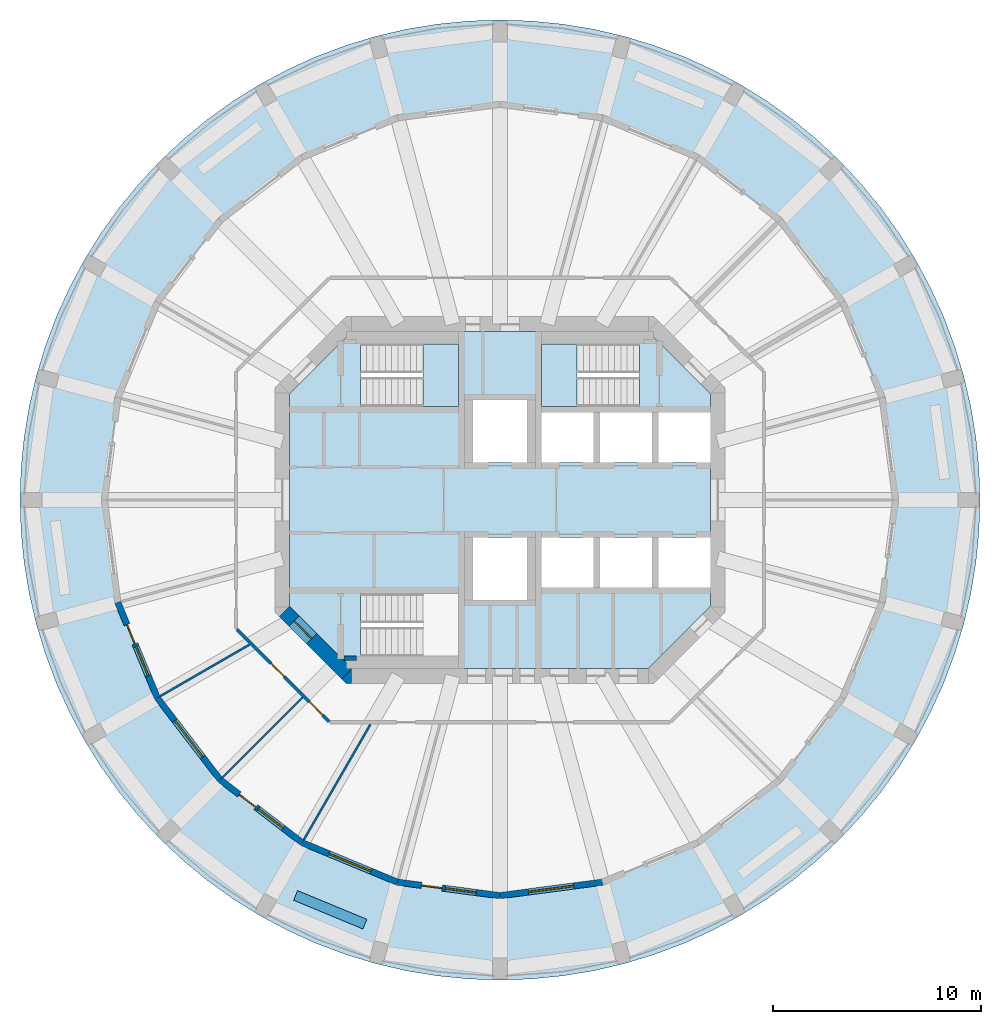
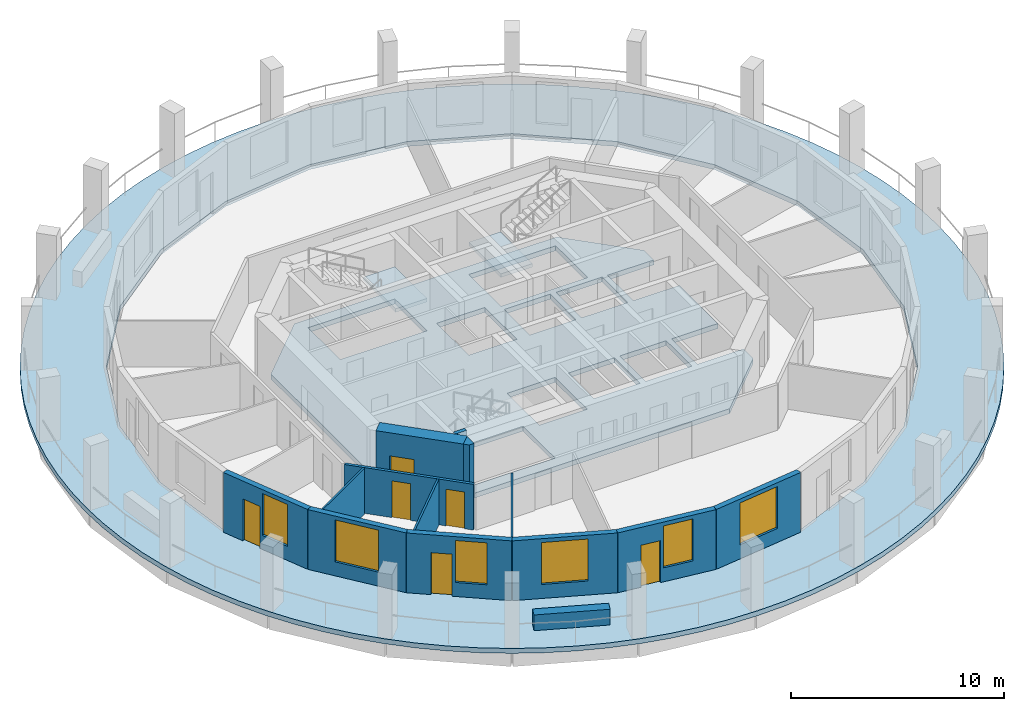
# One storey, part 2 of 9: 14 walls, 6 doors, 6 windows, 4 slabs, 12 openings, 2 elements without a shape of their own.
"""IFC4 building model written with IfcOpenShell, lengths in metres."""

from ifc_helpers import new_model, si_unit, direction, frame, frame_2d, origin, place, context, subcontext, project, spatial, polyline, rectangle, outline, extrude, material, layer, layer_set, type_object, element, fill, aggregate, save


model = new_model("IFC4")

# Units and contexts
model_context = context("Model", 3, precision=1e-05, world=origin(), true_north=direction((0.0, 1.0)))
body_context = subcontext(model_context, "Body", "Model", "MODEL_VIEW")
ifc_project = project(units=[si_unit("LENGTHUNIT", "METRE"), si_unit("AREAUNIT", "SQUARE_METRE"), si_unit("VOLUMEUNIT", "CUBIC_METRE"), si_unit("PLANEANGLEUNIT", "RADIAN"), si_unit("MASSUNIT", "GRAM", prefix="KILO")], contexts=[model_context])

# Site, building, storey
site_placement = place(None, origin())
site = spatial("IfcSite", under=ifc_project, at=site_placement, CompositionType="ELEMENT")
building_placement = place(site_placement, origin())
building = spatial("IfcBuilding", under=site, at=building_placement, Name="Torre Triforio", CompositionType="ELEMENT")
storey_placement = place(building_placement, frame((0.0, 0.0, 165.300048828125)))
storey = spatial("IfcBuildingStorey", under=building, at=storey_placement, Name="L37", CompositionType="ELEMENT", Elevation=165.300048828125)

# Slabs
ifc_material_1 = material(Name="Concrete C50", Category="concrete")
ifc_layer_1 = layer(ifc_material_1, 0.280029296875)
ifc_layer_set_1 = layer_set([ifc_layer_1], Name="Concrete C50")
slab_type_1 = type_object("IfcSlabType", Name="Core floor slab 280 mm C50 REI 120", PredefinedType="FLOOR", material=ifc_layer_set_1)
slab_1_placement = place(storey_placement, frame((0.0, 0.0, -0.280029296875)))
element("IfcSlab", 1, at=slab_1_placement, inside=storey, type_object=slab_type_1, Name="Core floor slab", PredefinedType="FLOOR", context=body_context, shape_type="SweptSolid", body=[
    extrude(outline(polyline([(10.10009765625, -5.10009765625), (7.10009765625, -8.10009765625), (-7.10009765625, -8.10009765625), (-10.10009765625, -5.10009765625), (-10.10009765625, 5.10009765625), (-7.10009765625, 8.10009765625), (7.10009765625, 8.10009765625), (10.10009765625, 5.10009765625), (10.10009765625, 4.199951171875), (7.60009765625, 4.199951171875), (7.60009765625, 1.800048828125), (10.10009765625, 1.800048828125), (10.10009765625, -1.800048828125), (7.60009765625, -1.800048828125), (7.60009765625, -4.199951171875), (10.10009765625, -4.199951171875), (10.10009765625, -5.10009765625)]), holes=[polyline([(-6.696044921875, -4.5), (-6.696044921875, -7.5), (-2.0, -7.5), (-2.0, -4.5), (-6.696044921875, -4.5)]), polyline([(-1.300048828125, -1.800048828125), (-1.300048828125, -4.800048828125), (1.300048828125, -4.800048828125), (1.300048828125, -1.800048828125), (-1.300048828125, -1.800048828125)]), polyline([(2.0, -1.800048828125), (2.0, -4.199951171875), (4.5, -4.199951171875), (4.5, -1.800048828125), (2.0, -1.800048828125)]), polyline([(4.5, 4.199951171875), (2.0, 4.199951171875), (2.0, 1.800048828125), (4.5, 1.800048828125), (4.5, 4.199951171875)]), polyline([(1.300048828125, 4.800048828125), (-1.300048828125, 4.800048828125), (-1.300048828125, 1.800048828125), (1.300048828125, 1.800048828125), (1.300048828125, 4.800048828125)]), polyline([(-6.696044921875, 7.5), (-6.696044921875, 4.5), (-2.0, 4.5), (-2.0, 7.5), (-6.696044921875, 7.5)]), polyline([(7.300048828125, -1.800048828125), (4.800048828125, -1.800048828125), (4.800048828125, -4.199951171875), (7.300048828125, -4.199951171875), (7.300048828125, -1.800048828125)]), polyline([(4.800048828125, 4.199951171875), (4.800048828125, 1.800048828125), (7.300048828125, 1.800048828125), (7.300048828125, 4.199951171875), (4.800048828125, 4.199951171875)]), polyline([(6.696044921875, 7.5), (2.0, 7.5), (2.0, 4.5), (6.696044921875, 4.5), (6.696044921875, 7.5)])]), origin(), (0.0, 0.0, 1.0), 0.280029296875),
])
ifc_material_2 = material(Name="Concrete C40", Category="concrete")
ifc_layer_2 = layer(ifc_material_2, 0.280029296875)
ifc_layer_set_2 = layer_set([ifc_layer_2], Name="Concrete C40")
slab_type_2 = type_object("IfcSlabType", Name="Loggia slab 280 C40", PredefinedType="FLOOR", material=ifc_layer_set_2)
slab_2_placement = place(storey_placement, frame((0.0, 0.0, -0.280029296875)))
element("IfcSlab", 2, at=slab_2_placement, inside=storey, type_object=slab_type_2, Name="SL.L37.LG", PredefinedType="FLOOR", context=body_context, shape_type="SweptSolid", body=[
    extrude(outline(polyline([(23.000732421875, -1.507568359375), (23.050048828125, 0.0), (23.000732421875, 1.507568359375), (22.852783203125, 3.008544921875), (22.607177734375, 4.496826171875), (22.2646484375, 5.9658203125), (21.82666015625, 7.4091796875), (21.29541015625, 8.82080078125), (20.6728515625, 10.19482421875), (19.9619140625, 11.52490234375), (19.165283203125, 12.805908203125), (18.286865234375, 14.031982421875), (17.329833984375, 15.197998046875), (16.298828125, 16.298828125), (15.197998046875, 17.329833984375), (14.031982421875, 18.286865234375), (12.805908203125, 19.165283203125), (11.52490234375, 19.9619140625), (10.19482421875, 20.6728515625), (8.82080078125, 21.29541015625), (7.4091796875, 21.82666015625), (5.9658203125, 22.2646484375), (4.496826171875, 22.607177734375), (3.008544921875, 22.852783203125), (1.507568359375, 23.000732421875), (0.0, 23.050048828125), (-1.507568359375, 23.000732421875), (-3.008544921875, 22.852783203125), (-4.496826171875, 22.607177734375), (-5.9658203125, 22.2646484375), (-7.4091796875, 21.82666015625), (-8.82080078125, 21.29541015625), (-10.19482421875, 20.6728515625), (-11.52490234375, 19.9619140625), (-12.805908203125, 19.165283203125), (-14.031982421875, 18.286865234375), (-15.197998046875, 17.329833984375), (-16.298828125, 16.298828125), (-17.329833984375, 15.197998046875), (-18.286865234375, 14.031982421875), (-19.165283203125, 12.805908203125), (-19.9619140625, 11.52490234375), (-20.6728515625, 10.19482421875), (-21.29541015625, 8.82080078125), (-21.82666015625, 7.4091796875), (-22.2646484375, 5.9658203125), (-22.607177734375, 4.496826171875), (-22.852783203125, 3.008544921875), (-23.000732421875, 1.507568359375), (-23.050048828125, 0.0), (-23.000732421875, -1.507568359375), (-22.852783203125, -3.008544921875), (-22.607177734375, -4.496826171875), (-22.2646484375, -5.9658203125), (-21.82666015625, -7.4091796875), (-21.29541015625, -8.82080078125), (-20.6728515625, -10.19482421875), (-19.9619140625, -11.52490234375), (-19.165283203125, -12.805908203125), (-18.286865234375, -14.031982421875), (-17.329833984375, -15.197998046875), (-16.298828125, -16.298828125), (-15.197998046875, -17.329833984375), (-14.031982421875, -18.286865234375), (-12.805908203125, -19.165283203125), (-11.52490234375, -19.9619140625), (-10.19482421875, -20.6728515625), (-8.82080078125, -21.29541015625), (-7.4091796875, -21.82666015625), (-5.9658203125, -22.2646484375), (-4.496826171875, -22.607177734375), (-3.008544921875, -22.852783203125), (-1.507568359375, -23.000732421875), (0.0, -23.050048828125), (1.507568359375, -23.000732421875), (3.008544921875, -22.852783203125), (4.496826171875, -22.607177734375), (5.9658203125, -22.2646484375), (7.4091796875, -21.82666015625), (8.82080078125, -21.29541015625), (10.19482421875, -20.6728515625), (11.52490234375, -19.9619140625), (12.805908203125, -19.165283203125), (14.031982421875, -18.286865234375), (15.197998046875, -17.329833984375), (16.298828125, -16.298828125), (17.329833984375, -15.197998046875), (18.286865234375, -14.031982421875), (19.165283203125, -12.805908203125), (19.9619140625, -11.52490234375), (20.6728515625, -10.19482421875), (21.29541015625, -8.82080078125), (21.82666015625, -7.4091796875), (22.2646484375, -5.9658203125), (22.607177734375, -4.496826171875), (22.852783203125, -3.008544921875), (23.000732421875, -1.507568359375)]), holes=[polyline([(18.3525390625, 4.91748046875), (19.0, 0.0), (18.3525390625, -4.91748046875), (16.45458984375, -9.5), (13.43505859375, -13.43505859375), (9.5, -16.45458984375), (4.91748046875, -18.3525390625), (0.0, -19.0), (-4.91748046875, -18.3525390625), (-9.5, -16.45458984375), (-13.43505859375, -13.43505859375), (-16.45458984375, -9.5), (-18.3525390625, -4.91748046875), (-19.0, 0.0), (-18.3525390625, 4.91748046875), (-16.45458984375, 9.5), (-13.43505859375, 13.43505859375), (-9.5, 16.45458984375), (-4.91748046875, 18.3525390625), (0.0, 19.0), (4.91748046875, 18.3525390625), (9.5, 16.45458984375), (13.43505859375, 13.43505859375), (16.45458984375, 9.5), (18.3525390625, 4.91748046875)])]), origin(), (0.0, 0.0, 1.0), 0.280029296875),
])

# Stair, slab
stair_type = type_object("IfcStairType", Name="STAIR HALF-TURN", PredefinedType="HALF_TURN_STAIR", material=ifc_material_2)
stair_1_placement = place(storey_placement, origin())
stair_1 = element("IfcStair", 3, at=stair_1_placement, inside=storey, type_object=stair_type, Name="Exit stair 1", PredefinedType="HALF_TURN_STAIR")
ifc_layer_3 = layer(ifc_material_2, 0.199951171875)
ifc_layer_set_3 = layer_set([ifc_layer_3], Name="Concrete C40")
slab_type_3 = type_object("IfcSlabType", Name="STAIR LANDING 200", PredefinedType="LANDING", material=ifc_layer_set_3)
slab_3_placement = place(storey_placement, frame((0.0, 0.0, 1.64990234375)))
slab_3 = element("IfcSlab", 4, at=slab_3_placement, type_object=slab_type_3, Name="ST1 landing 1", PredefinedType="LANDING", context=body_context, shape_type="SweptSolid", body=[
    extrude(outline(polyline([(-2.0, 4.5), (-2.0, 7.5), (-3.699951171875, 7.5), (-3.699951171875, 4.5), (-2.0, 4.5)])), origin(), (0.0, 0.0, 1.0), 0.199951171875),
])
aggregate(stair_1, [slab_3])

stair_2_placement = place(storey_placement, origin())
stair_2 = element("IfcStair", 5, at=stair_2_placement, inside=storey, type_object=stair_type, Name="Exit stair 2", PredefinedType="HALF_TURN_STAIR")
slab_4_placement = place(storey_placement, frame((0.0, 0.0, 1.64990234375)))
slab_4 = element("IfcSlab", 6, at=slab_4_placement, type_object=slab_type_3, Name="ST2 landing 1", PredefinedType="LANDING", context=body_context, shape_type="SweptSolid", body=[
    extrude(outline(polyline([(3.699951171875, 4.5), (3.699951171875, 7.5), (2.0, 7.5), (2.0, 4.5), (3.699951171875, 4.5)])), origin(), (0.0, 0.0, 1.0), 0.199951171875),
])
aggregate(stair_2, [slab_4])

# Wall, opening, door
ifc_layer_4 = layer(ifc_material_1, 0.699951171875)
ifc_layer_set_4 = layer_set([ifc_layer_4], Name="Concrete C50")
wall_type_1 = type_object("IfcWallType", Name="Core wall 700 mm C50 EI 120", PredefinedType="SHEAR", material=ifc_layer_set_4)
wall_1_placement = place(storey_placement, frame((-7.347412109375, -8.347412109375, -0.280029296875), z_axis=(0.0, 0.0, 1.0), x_axis=(-0.707106781187, 0.707106781187, 0.0)))
wall_1 = element("IfcWall", 7, at=wall_1_placement, inside=storey, type_object=wall_type_1, Name="Core wall", PredefinedType="SHEAR", context=body_context, shape_type="SweptSolid", body=[
    extrude(rectangle(XDim=4.24267578125, YDim=0.699951171875, at=frame_2d((2.121337890625, 0.0))), origin(), (0.0, 0.0, 1.0), 3.699951171875),
])
opening_1_placement = place(wall_1_placement, frame((2.392578125, 0.0, 0.280029296875)))
opening_1 = element("IfcOpeningElement", 8, at=opening_1_placement, cuts=wall_1, Name="Opening ST3-EXIT", PredefinedType="OPENING", context=body_context, shape_type="SweptSolid", body=[
    extrude(rectangle(XDim=1.199951171875, YDim=2.10009765625, at=frame_2d((0.60009765625, 1.050048828125))), frame((0.0, 0.35986328125, 0.0), z_axis=(0.0, -1.0, 0.0), x_axis=(1.0, 0.0, 0.0)), (0.0, 0.0, 1.0), 0.719970703125),
])
ifc_material_3 = material(Name="Hollow metal fire door leaf")
door_type_1 = type_object("IfcDoorType", Name="Stair lobby door 1200 x 2100 EI 60", OperationType="NOTDEFINED", PredefinedType="DOOR", material=ifc_material_3)
door_1_placement = place(opening_1_placement, origin())
door_1 = element("IfcDoor", 9, at=door_1_placement, inside=storey, type_object=door_type_1, Name="Core door ST3-EXIT", OperationType="SINGLE_SWING_RIGHT", OverallHeight=2.10009765625, OverallWidth=1.199951171875, PredefinedType="DOOR", context=body_context, shape_type="SweptSolid", body=[
    extrude(rectangle(XDim=1.199951171875, YDim=2.10009765625, at=frame_2d((0.60009765625, 1.050048828125))), frame((0.0, 0.02490234375, 0.0), z_axis=(0.0, -1.0, 0.0), x_axis=(1.0, 0.0, 0.0)), (0.0, 0.0, 1.0), 0.050048828125),
])
fill(opening_1, door_1)

# Wall
wall_2_placement = place(storey_placement, frame((0.0, 0.0, -0.280029296875)))
element("IfcWall", 10, at=wall_2_placement, inside=storey, type_object=wall_type_1, Name="Core wall", PredefinedType="SHEAR", context=body_context, shape_type="SweptSolid", body=[
    extrude(outline(polyline([(-7.389892578125, -8.800048828125), (-7.594970703125, -8.594970703125), (-7.594970703125, -8.594970703125), (-7.594970703125, -8.594970703125), (-7.1298828125, -8.1298828125), (-7.1298828125, -8.800048828125), (-7.1298828125, -8.800048828125), (-7.389892578125, -8.800048828125)])), origin(), (0.0, 0.0, 1.0), 3.699951171875),
])

# Wall, openings, doors
ifc_material_4 = material(Name="Plasterboard on metal studs")
ifc_layer_5 = layer(ifc_material_4, 0.14990234375)
ifc_layer_set_5 = layer_set([ifc_layer_5], Name="Plasterboard on metal studs")
wall_type_2 = type_object("IfcWallType", Name="Corridor and tenancy wall 150 mm EI 60", PredefinedType="PARTITIONING", material=ifc_layer_set_5)
wall_3_placement = place(storey_placement, frame((-8.20361328125, -10.637939453125, 0.0), z_axis=(0.0, 0.0, 1.0), x_axis=(-0.707106781187, 0.707106781187, 0.0)))
wall_3 = element("IfcWall", 11, at=wall_3_placement, inside=storey, type_object=wall_type_2, Name="Partition 3", PredefinedType="PARTITIONING", context=body_context, shape_type="SweptSolid", body=[
    extrude(rectangle(XDim=6.27099609375, YDim=0.14990234375, at=frame_2d((3.135498046875, 0.0))), origin(), (0.0, 0.0, 1.0), 2.619873046875),
])
opening_2_placement = place(wall_3_placement, frame((3.056884765625, 0.0, 0.0)))
opening_2 = element("IfcOpeningElement", 12, at=opening_2_placement, cuts=wall_3, Name="Opening O2-06", PredefinedType="OPENING", context=body_context, shape_type="SweptSolid", body=[
    extrude(rectangle(XDim=0.89990234375, YDim=2.10009765625, at=frame_2d((0.449951171875, 1.050048828125))), frame((0.0, 0.0849609375, 0.0), z_axis=(0.0, -1.0, 0.0), x_axis=(1.0, 0.0, 0.0)), (0.0, 0.0, 1.0), 0.169921875),
])
opening_3_placement = place(wall_3_placement, frame((0.435546875, 0.0, 0.0)))
opening_3 = element("IfcOpeningElement", 13, at=opening_3_placement, cuts=wall_3, Name="Opening O2-07", PredefinedType="OPENING", context=body_context, shape_type="SweptSolid", body=[
    extrude(rectangle(XDim=0.89990234375, YDim=2.10009765625, at=frame_2d((0.449951171875, 1.050048828125))), frame((0.0, 0.0849609375, 0.0), z_axis=(0.0, -1.0, 0.0), x_axis=(1.0, 0.0, 0.0)), (0.0, 0.0, 1.0), 0.169921875),
])
ifc_material_5 = material(Name="Timber", Category="wood")
door_type_2 = type_object("IfcDoorType", Name="Door 900 x 2100 single leaf EI 30", OperationType="NOTDEFINED", PredefinedType="DOOR", material=ifc_material_5)
door_2_placement = place(opening_2_placement, origin())
door_2 = element("IfcDoor", 14, at=door_2_placement, inside=storey, type_object=door_type_2, Name="Door O2-06", OperationType="SINGLE_SWING_LEFT", OverallHeight=2.10009765625, OverallWidth=0.89990234375, PredefinedType="DOOR", context=body_context, shape_type="SweptSolid", body=[
    extrude(rectangle(XDim=0.89990234375, YDim=2.10009765625, at=frame_2d((0.449951171875, 1.050048828125))), frame((0.0, 0.02490234375, 0.0), z_axis=(0.0, -1.0, 0.0), x_axis=(1.0, 0.0, 0.0)), (0.0, 0.0, 1.0), 0.050048828125),
])
fill(opening_2, door_2)
door_3_placement = place(opening_3_placement, origin())
door_3 = element("IfcDoor", 15, at=door_3_placement, inside=storey, type_object=door_type_2, Name="Door O2-07", OperationType="SINGLE_SWING_LEFT", OverallHeight=2.10009765625, OverallWidth=0.89990234375, PredefinedType="DOOR", context=body_context, shape_type="SweptSolid", body=[
    extrude(rectangle(XDim=0.89990234375, YDim=2.10009765625, at=frame_2d((0.449951171875, 1.050048828125))), frame((0.0, 0.02490234375, 0.0), z_axis=(0.0, -1.0, 0.0), x_axis=(1.0, 0.0, 0.0)), (0.0, 0.0, 1.0), 0.050048828125),
])
fill(opening_3, door_3)

# Walls
ifc_layer_6 = layer(ifc_material_4, 0.10009765625)
ifc_layer_set_6 = layer_set([ifc_layer_6], Name="Plasterboard on metal studs")
wall_type_3 = type_object("IfcWallType", Name="Partition 100 mm board on metal studs", PredefinedType="PARTITIONING", material=ifc_layer_set_6)
wall_4_placement = place(storey_placement, frame((-12.025146484375, -6.94287109375, 0.0), z_axis=(0.0, 0.0, 1.0), x_axis=(-0.866025463095, -0.499999897272, 0.0)))
element("IfcWall", 16, at=wall_4_placement, inside=storey, type_object=wall_type_3, Name="Partition 21", PredefinedType="PARTITIONING", context=body_context, shape_type="SweptSolid", body=[
    extrude(rectangle(XDim=4.951171875, YDim=0.10009765625, at=frame_2d((2.4755859375, 0.0))), origin(), (0.0, 0.0, 1.0), 2.619873046875),
])
wall_5_placement = place(storey_placement, frame((-9.473876953125, -9.473876953125, 0.0), z_axis=(0.0, 0.0, 1.0), x_axis=(-0.707106781187, -0.707106781187, 0.0)))
element("IfcWall", 17, at=wall_5_placement, inside=storey, type_object=wall_type_3, Name="Partition 22", PredefinedType="PARTITIONING", context=body_context, shape_type="SweptSolid", body=[
    extrude(rectangle(XDim=5.438720703125, YDim=0.10009765625, at=frame_2d((2.71923828125, 0.0))), origin(), (0.0, 0.0, 1.0), 2.619873046875),
])
wall_6_placement = place(storey_placement, frame((-6.220703125, -10.774658203125, 0.0), z_axis=(0.0, 0.0, 1.0), x_axis=(-0.500023166934, -0.866012027936, 0.0)))
element("IfcWall", 18, at=wall_6_placement, inside=storey, type_object=wall_type_3, Name="Partition 23", PredefinedType="PARTITIONING", context=body_context, shape_type="SweptSolid", body=[
    extrude(rectangle(XDim=6.395263671875, YDim=0.10009765625, at=frame_2d((3.19775390625, 0.0))), origin(), (0.0, 0.0, 1.0), 2.619873046875),
])
ifc_material_6 = material(Name="Limestone cladding", Category="masonry")
ifc_layer_7 = layer(ifc_material_6, 0.10009765625)
ifc_layer_8 = layer(ifc_material_2, 0.39990234375)
ifc_layer_set_7 = layer_set([ifc_layer_7, ifc_layer_8], Name="Limestone cladding / Concrete C40")
wall_type_4 = type_object("IfcWallType", Name="Planter wall 500", PredefinedType="PARAPET", material=ifc_layer_set_7)
wall_7_placement = place(storey_placement, frame((-9.814208984375, -18.98974609375, 0.0), z_axis=(0.0, 0.0, 1.0), x_axis=(0.923875488976, -0.382693194178, 0.0)))
element("IfcWall", 19, at=wall_7_placement, inside=storey, type_object=wall_type_4, Name="Planter L37 bay 17", PredefinedType="PARAPET", context=body_context, shape_type="SweptSolid", body=[
    extrude(rectangle(XDim=3.599853515625, YDim=0.5, at=frame_2d((1.7998046875, 0.0))), origin(), (0.0, 0.0, 1.0), 0.89990234375),
])
ifc_layer_9 = layer(ifc_material_1, 0.199951171875)
ifc_layer_set_8 = layer_set([ifc_layer_9], Name="Concrete C50")
wall_type_5 = type_object("IfcWallType", Name="Stair wall 200 mm C50 EI 120", PredefinedType="SHEAR", material=ifc_layer_set_8)
wall_8_placement = place(storey_placement, frame((-7.5, -7.60009765625, 0.0), z_axis=(0.0, 0.0, 1.0), x_axis=(1.0, 0.0, 0.0)))
element("IfcWall", 20, at=wall_8_placement, inside=storey, type_object=wall_type_5, Name="Stair wall", PredefinedType="SHEAR", context=body_context, shape_type="SweptSolid", body=[
    extrude(rectangle(XDim=0.60009765625, YDim=0.199951171875, at=frame_2d((0.300048828125, 0.0))), origin(), (0.0, 0.0, 1.0), 3.419921875),
])

# Wall, openings, door, window
ifc_layer_10 = layer(ifc_material_6, 0.10009765625)
ifc_layer_11 = layer(ifc_material_2, 0.199951171875)
ifc_layer_set_9 = layer_set([ifc_layer_10, ifc_layer_11], Name="Limestone cladding / Concrete C40")
wall_type_6 = type_object("IfcWallType", Name="Stone-faced composite wall 300", PredefinedType="STANDARD", material=ifc_layer_set_9)
wall_9_placement = place(storey_placement, frame((-18.3525390625, -4.91748046875, 0.0), z_axis=(0.0, 0.0, 1.0), x_axis=(0.382650301762, -0.923893254961, 0.0)))
wall_9 = element("IfcWall", 21, at=wall_9_placement, inside=storey, type_object=wall_type_6, Name="External wall L37 bay 14", PredefinedType="STANDARD", context=body_context, shape_type="SweptSolid", body=[
    extrude(rectangle(XDim=4.9599609375, YDim=0.300048828125, at=frame_2d((2.47998046875, 0.0))), origin(), (0.0, 0.0, 1.0), 3.419921875),
])
opening_4_placement = place(wall_9_placement, frame((1.155029296875, 0.0, 0.0)))
opening_4 = element("IfcOpeningElement", 22, at=opening_4_placement, cuts=wall_9, Name="Opening O2-D14", PredefinedType="OPENING", context=body_context, shape_type="SweptSolid", body=[
    extrude(rectangle(XDim=1.0, YDim=2.39990234375, at=frame_2d((0.5, 1.199951171875))), frame((0.0, 0.159912109375, 0.0), z_axis=(0.0, -1.0, 0.0), x_axis=(1.0, 0.0, 0.0)), (0.0, 0.0, 1.0), 0.320068359375),
])
opening_5_placement = place(wall_9_placement, frame((2.304931640625, 0.0, 0.800048828125)))
opening_5 = element("IfcOpeningElement", 23, at=opening_5_placement, cuts=wall_9, Name="Opening O2-W14A", PredefinedType="OPENING", context=body_context, shape_type="SweptSolid", body=[
    extrude(rectangle(XDim=1.5, YDim=2.39990234375, at=frame_2d((0.75, 1.199951171875))), frame((0.0, 0.159912109375, 0.0), z_axis=(0.0, -1.0, 0.0), x_axis=(1.0, 0.0, 0.0)), (0.0, 0.0, 1.0), 0.320068359375),
])
ifc_material_7 = material(Name="Aluminium frame with clear double glazing", Category="aluminium")
door_type_3 = type_object("IfcDoorType", Name="Loggia door 1000 x 2400", OperationType="NOTDEFINED", PredefinedType="DOOR", material=ifc_material_7)
door_4_placement = place(opening_4_placement, origin())
door_4 = element("IfcDoor", 24, at=door_4_placement, inside=storey, type_object=door_type_3, Name="Loggia door L37 bay 14", OperationType="SINGLE_SWING_LEFT", OverallHeight=2.39990234375, OverallWidth=1.0, PredefinedType="DOOR", context=body_context, shape_type="SweptSolid", body=[
    extrude(rectangle(XDim=1.0, YDim=2.39990234375, at=frame_2d((0.5, 1.199951171875))), frame((0.0, 0.02490234375, 0.0), z_axis=(0.0, -1.0, 0.0), x_axis=(1.0, 0.0, 0.0)), (0.0, 0.0, 1.0), 0.050048828125),
])
fill(opening_4, door_4)
window_type_1 = type_object("IfcWindowType", Name="Side window 1500 x 2400", PartitioningType="SINGLE_PANEL", PredefinedType="WINDOW", material=ifc_material_7)
window_1_placement = place(opening_5_placement, origin())
window_1 = element("IfcWindow", 25, at=window_1_placement, inside=storey, type_object=window_type_1, Name="Side window EWN14 L37 bay 14", OverallHeight=2.39990234375, OverallWidth=1.5, PartitioningType="SINGLE_PANEL", PredefinedType="WINDOW", context=body_context, shape_type="SweptSolid", body=[
    extrude(rectangle(XDim=1.5, YDim=2.39990234375, at=frame_2d((0.75, 1.199951171875))), frame((0.0, 0.030029296875, 0.0), z_axis=(0.0, -1.0, 0.0), x_axis=(1.0, 0.0, 0.0)), (0.0, 0.0, 1.0), 0.06005859375),
])
fill(opening_5, window_1)

# Wall, opening, window
wall_10_placement = place(storey_placement, frame((-16.45458984375, -9.5, 0.0), z_axis=(0.0, 0.0, 1.0), x_axis=(0.608768356425, -0.793348024649, 0.0)))
wall_10 = element("IfcWall", 26, at=wall_10_placement, inside=storey, type_object=wall_type_6, Name="External wall L37 bay 15", PredefinedType="STANDARD", context=body_context, shape_type="SweptSolid", body=[
    extrude(rectangle(XDim=4.9599609375, YDim=0.300048828125, at=frame_2d((2.47998046875, 0.0))), origin(), (0.0, 0.0, 1.0), 3.419921875),
])
opening_6_placement = place(wall_10_placement, frame((1.3798828125, 0.0, 0.800048828125)))
opening_6 = element("IfcOpeningElement", 27, at=opening_6_placement, cuts=wall_10, Name="Opening O2-W15", PredefinedType="OPENING", context=body_context, shape_type="SweptSolid", body=[
    extrude(rectangle(XDim=2.199951171875, YDim=2.39990234375, at=frame_2d((1.10009765625, 1.199951171875))), frame((0.0, 0.159912109375, 0.0), z_axis=(0.0, -1.0, 0.0), x_axis=(1.0, 0.0, 0.0)), (0.0, 0.0, 1.0), 0.320068359375),
])
window_type_2 = type_object("IfcWindowType", Name="Punched window 2200 x 2400", PartitioningType="DOUBLE_PANEL_VERTICAL", PredefinedType="WINDOW", material=ifc_material_7)
window_2_placement = place(opening_6_placement, origin())
window_2 = element("IfcWindow", 28, at=window_2_placement, inside=storey, type_object=window_type_2, Name="Window EWN5 L37 bay 15", OverallHeight=2.39990234375, OverallWidth=2.199951171875, PartitioningType="SINGLE_PANEL", PredefinedType="WINDOW", context=body_context, shape_type="SweptSolid", body=[
    extrude(rectangle(XDim=2.199951171875, YDim=2.39990234375, at=frame_2d((1.10009765625, 1.199951171875))), frame((0.0, 0.030029296875, 0.0), z_axis=(0.0, -1.0, 0.0), x_axis=(1.0, 0.0, 0.0)), (0.0, 0.0, 1.0), 0.06005859375),
])
fill(opening_6, window_2)

# Wall, openings, door, window
wall_11_placement = place(storey_placement, frame((-13.43505859375, -13.43505859375, 0.0), z_axis=(0.0, 0.0, 1.0), x_axis=(0.793348024649, -0.608768356425, 0.0)))
wall_11 = element("IfcWall", 29, at=wall_11_placement, inside=storey, type_object=wall_type_6, Name="External wall L37 bay 16", PredefinedType="STANDARD", context=body_context, shape_type="SweptSolid", body=[
    extrude(rectangle(XDim=4.9599609375, YDim=0.300048828125, at=frame_2d((2.47998046875, 0.0))), origin(), (0.0, 0.0, 1.0), 3.419921875),
])
opening_7_placement = place(wall_11_placement, frame((1.155029296875, 0.0, 0.0)))
opening_7 = element("IfcOpeningElement", 30, at=opening_7_placement, cuts=wall_11, Name="Opening O2-D16", PredefinedType="OPENING", context=body_context, shape_type="SweptSolid", body=[
    extrude(rectangle(XDim=1.0, YDim=2.39990234375, at=frame_2d((0.5, 1.199951171875))), frame((0.0, 0.159912109375, 0.0), z_axis=(0.0, -1.0, 0.0), x_axis=(1.0, 0.0, 0.0)), (0.0, 0.0, 1.0), 0.320068359375),
])
opening_8_placement = place(wall_11_placement, frame((2.304931640625, 0.0, 0.800048828125)))
opening_8 = element("IfcOpeningElement", 31, at=opening_8_placement, cuts=wall_11, Name="Opening O2-W16A", PredefinedType="OPENING", context=body_context, shape_type="SweptSolid", body=[
    extrude(rectangle(XDim=1.5, YDim=2.39990234375, at=frame_2d((0.75, 1.199951171875))), frame((0.0, 0.159912109375, 0.0), z_axis=(0.0, -1.0, 0.0), x_axis=(1.0, 0.0, 0.0)), (0.0, 0.0, 1.0), 0.320068359375),
])
door_5_placement = place(opening_7_placement, origin())
door_5 = element("IfcDoor", 32, at=door_5_placement, inside=storey, type_object=door_type_3, Name="Loggia door L37 bay 16", OperationType="SINGLE_SWING_LEFT", OverallHeight=2.39990234375, OverallWidth=1.0, PredefinedType="DOOR", context=body_context, shape_type="SweptSolid", body=[
    extrude(rectangle(XDim=1.0, YDim=2.39990234375, at=frame_2d((0.5, 1.199951171875))), frame((0.0, 0.02490234375, 0.0), z_axis=(0.0, -1.0, 0.0), x_axis=(1.0, 0.0, 0.0)), (0.0, 0.0, 1.0), 0.050048828125),
])
fill(opening_7, door_5)
window_3_placement = place(opening_8_placement, origin())
window_3 = element("IfcWindow", 33, at=window_3_placement, inside=storey, type_object=window_type_1, Name="Side window EWN14 L37 bay 16", OverallHeight=2.39990234375, OverallWidth=1.5, PartitioningType="SINGLE_PANEL", PredefinedType="WINDOW", context=body_context, shape_type="SweptSolid", body=[
    extrude(rectangle(XDim=1.5, YDim=2.39990234375, at=frame_2d((0.75, 1.199951171875))), frame((0.0, 0.030029296875, 0.0), z_axis=(0.0, -1.0, 0.0), x_axis=(1.0, 0.0, 0.0)), (0.0, 0.0, 1.0), 0.06005859375),
])
fill(opening_8, window_3)

# Wall, opening, window
wall_12_placement = place(storey_placement, frame((-9.5, -16.45458984375, 0.0), z_axis=(0.0, 0.0, 1.0), x_axis=(0.923893254961, -0.382650301762, 0.0)))
wall_12 = element("IfcWall", 34, at=wall_12_placement, inside=storey, type_object=wall_type_6, Name="External wall L37 bay 17", PredefinedType="STANDARD", context=body_context, shape_type="SweptSolid", body=[
    extrude(rectangle(XDim=4.9599609375, YDim=0.300048828125, at=frame_2d((2.47998046875, 0.0))), origin(), (0.0, 0.0, 1.0), 3.419921875),
])
opening_9_placement = place(wall_12_placement, frame((1.3798828125, 0.0, 0.800048828125)))
opening_9 = element("IfcOpeningElement", 35, at=opening_9_placement, cuts=wall_12, Name="Opening O2-W17", PredefinedType="OPENING", context=body_context, shape_type="SweptSolid", body=[
    extrude(rectangle(XDim=2.199951171875, YDim=2.39990234375, at=frame_2d((1.10009765625, 1.199951171875))), frame((0.0, 0.159912109375, 0.0), z_axis=(0.0, -1.0, 0.0), x_axis=(1.0, 0.0, 0.0)), (0.0, 0.0, 1.0), 0.320068359375),
])
window_4_placement = place(opening_9_placement, origin())
window_4 = element("IfcWindow", 36, at=window_4_placement, inside=storey, type_object=window_type_2, Name="Window EWN5 L37 bay 17", OverallHeight=2.39990234375, OverallWidth=2.199951171875, PartitioningType="SINGLE_PANEL", PredefinedType="WINDOW", context=body_context, shape_type="SweptSolid", body=[
    extrude(rectangle(XDim=2.199951171875, YDim=2.39990234375, at=frame_2d((1.10009765625, 1.199951171875))), frame((0.0, 0.030029296875, 0.0), z_axis=(0.0, -1.0, 0.0), x_axis=(1.0, 0.0, 0.0)), (0.0, 0.0, 1.0), 0.06005859375),
])
fill(opening_9, window_4)

# Wall, openings, door, window
wall_13_placement = place(storey_placement, frame((-4.91748046875, -18.3525390625, 0.0), z_axis=(0.0, 0.0, 1.0), x_axis=(0.991443234469, -0.130538549191, 0.0)))
wall_13 = element("IfcWall", 37, at=wall_13_placement, inside=storey, type_object=wall_type_6, Name="External wall L37 bay 18", PredefinedType="STANDARD", context=body_context, shape_type="SweptSolid", body=[
    extrude(rectangle(XDim=4.9599609375, YDim=0.300048828125, at=frame_2d((2.47998046875, 0.0))), origin(), (0.0, 0.0, 1.0), 3.419921875),
])
opening_10_placement = place(wall_13_placement, frame((1.155029296875, 0.0, 0.0)))
opening_10 = element("IfcOpeningElement", 38, at=opening_10_placement, cuts=wall_13, Name="Opening O2-D18", PredefinedType="OPENING", context=body_context, shape_type="SweptSolid", body=[
    extrude(rectangle(XDim=1.0, YDim=2.39990234375, at=frame_2d((0.5, 1.199951171875))), frame((0.0, 0.159912109375, 0.0), z_axis=(0.0, -1.0, 0.0), x_axis=(1.0, 0.0, 0.0)), (0.0, 0.0, 1.0), 0.320068359375),
])
opening_11_placement = place(wall_13_placement, frame((2.304931640625, 0.0, 0.800048828125)))
opening_11 = element("IfcOpeningElement", 39, at=opening_11_placement, cuts=wall_13, Name="Opening O2-W18A", PredefinedType="OPENING", context=body_context, shape_type="SweptSolid", body=[
    extrude(rectangle(XDim=1.5, YDim=2.39990234375, at=frame_2d((0.75, 1.199951171875))), frame((0.0, 0.159912109375, 0.0), z_axis=(0.0, -1.0, 0.0), x_axis=(1.0, 0.0, 0.0)), (0.0, 0.0, 1.0), 0.320068359375),
])
door_6_placement = place(opening_10_placement, origin())
door_6 = element("IfcDoor", 40, at=door_6_placement, inside=storey, type_object=door_type_3, Name="Loggia door L37 bay 18", OperationType="SINGLE_SWING_LEFT", OverallHeight=2.39990234375, OverallWidth=1.0, PredefinedType="DOOR", context=body_context, shape_type="SweptSolid", body=[
    extrude(rectangle(XDim=1.0, YDim=2.39990234375, at=frame_2d((0.5, 1.199951171875))), frame((0.0, 0.02490234375, 0.0), z_axis=(0.0, -1.0, 0.0), x_axis=(1.0, 0.0, 0.0)), (0.0, 0.0, 1.0), 0.050048828125),
])
fill(opening_10, door_6)
window_5_placement = place(opening_11_placement, origin())
window_5 = element("IfcWindow", 41, at=window_5_placement, inside=storey, type_object=window_type_1, Name="Side window EWN14 L37 bay 18", OverallHeight=2.39990234375, OverallWidth=1.5, PartitioningType="SINGLE_PANEL", PredefinedType="WINDOW", context=body_context, shape_type="SweptSolid", body=[
    extrude(rectangle(XDim=1.5, YDim=2.39990234375, at=frame_2d((0.75, 1.199951171875))), frame((0.0, 0.030029296875, 0.0), z_axis=(0.0, -1.0, 0.0), x_axis=(1.0, 0.0, 0.0)), (0.0, 0.0, 1.0), 0.06005859375),
])
fill(opening_11, window_5)

# Wall, opening, window
wall_14_placement = place(storey_placement, frame((0.0, -19.0, 0.0), z_axis=(0.0, 0.0, 1.0), x_axis=(0.991443234469, 0.130538549191, 0.0)))
wall_14 = element("IfcWall", 42, at=wall_14_placement, inside=storey, type_object=wall_type_6, Name="External wall L37 bay 19", PredefinedType="STANDARD", context=body_context, shape_type="SweptSolid", body=[
    extrude(rectangle(XDim=4.9599609375, YDim=0.300048828125, at=frame_2d((2.47998046875, 0.0))), origin(), (0.0, 0.0, 1.0), 3.419921875),
])
opening_12_placement = place(wall_14_placement, frame((1.3798828125, 0.0, 0.800048828125)))
opening_12 = element("IfcOpeningElement", 43, at=opening_12_placement, cuts=wall_14, Name="Opening O2-W19", PredefinedType="OPENING", context=body_context, shape_type="SweptSolid", body=[
    extrude(rectangle(XDim=2.199951171875, YDim=2.39990234375, at=frame_2d((1.10009765625, 1.199951171875))), frame((0.0, 0.159912109375, 0.0), z_axis=(0.0, -1.0, 0.0), x_axis=(1.0, 0.0, 0.0)), (0.0, 0.0, 1.0), 0.320068359375),
])
window_6_placement = place(opening_12_placement, origin())
window_6 = element("IfcWindow", 44, at=window_6_placement, inside=storey, type_object=window_type_2, Name="Window EWN5 L37 bay 19", OverallHeight=2.39990234375, OverallWidth=2.199951171875, PartitioningType="SINGLE_PANEL", PredefinedType="WINDOW", context=body_context, shape_type="SweptSolid", body=[
    extrude(rectangle(XDim=2.199951171875, YDim=2.39990234375, at=frame_2d((1.10009765625, 1.199951171875))), frame((0.0, 0.030029296875, 0.0), z_axis=(0.0, -1.0, 0.0), x_axis=(1.0, 0.0, 0.0)), (0.0, 0.0, 1.0), 0.06005859375),
])
fill(opening_12, window_6)

save(model, "model.ifc")
